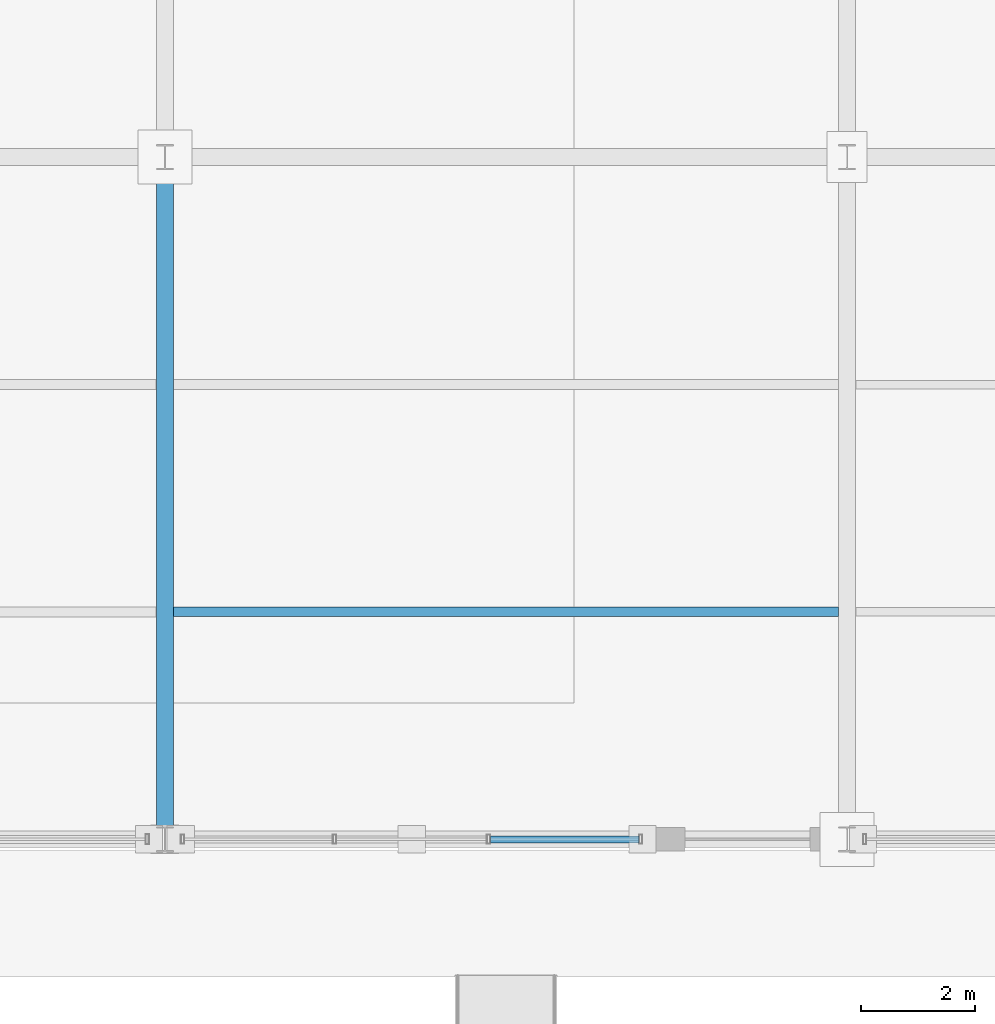
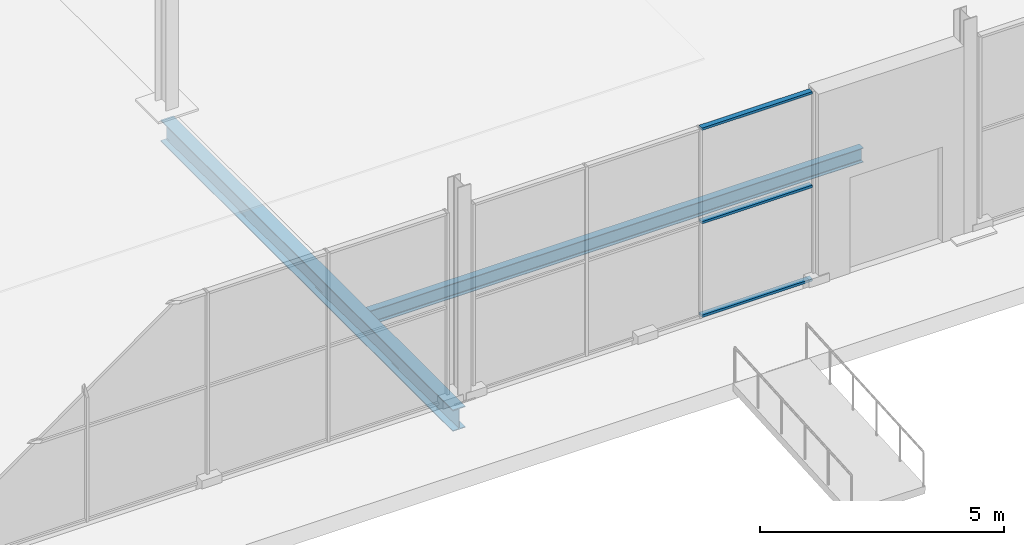
# One storey, part 70 of 196: 3 members, 2 beams, 1 element without a shape of its own.
"""IFC4 building model written with IfcOpenShell, lengths in metres."""

from ifc_helpers import new_model, si_unit, direction, frame, origin, origin_2d, place, context, subcontext, project, spatial, hollow_rectangle, i_section, extrude, material, material_profile, profile_set, type_object, element, aggregate, save


model = new_model("IFC4")

# Units and contexts
model_context = context("Model", 3, precision=1e-05, world=origin(), true_north=direction((0.0, 1.0)))
body_context = subcontext(model_context, "Body", "Model", "MODEL_VIEW")
ifc_project = project(units=[si_unit("LENGTHUNIT", "METRE"), si_unit("AREAUNIT", "SQUARE_METRE"), si_unit("VOLUMEUNIT", "CUBIC_METRE"), si_unit("PLANEANGLEUNIT", "RADIAN"), si_unit("MASSUNIT", "GRAM", prefix="KILO")], contexts=[model_context])

# Site, building, storey
site_placement = place(None, origin())
site = spatial("IfcSite", under=ifc_project, at=site_placement, CompositionType="ELEMENT")
building_placement = place(site_placement, origin())
building = spatial("IfcBuilding", under=site, at=building_placement, Name="Merenkruunu Market Hall", CompositionType="ELEMENT")
storey_placement = place(building_placement, origin())
storey = spatial("IfcBuildingStorey", under=building, at=storey_placement, Name="L00", CompositionType="ELEMENT", Elevation=0.0)

# Curtain wall, members
ifc_material_1 = material(Name="Powder-coated aluminium", Category="aluminium")
curtain_wall_type = type_object("IfcCurtainWallType", Name="Glazed Curtain Wall CW06", PredefinedType="USERDEFINED", material=ifc_material_1)
curtain_wall_placement = place(storey_placement, origin())
curtain_wall = element("IfcCurtainWall", 1, at=curtain_wall_placement, inside=storey, type_object=curtain_wall_type, Name="CW-L00-CWM01-190", ObjectType="GLAZED_FACADE", PredefinedType="USERDEFINED")
ifc_material_profile_1 = material_profile(ifc_material_1, hollow_rectangle(XDim=0.06005859375, YDim=0.125, WallThickness=0.00390625, at=origin_2d()), Name="ALU 60x125x4")
ifc_profile_set_1 = profile_set([ifc_material_profile_1], Name="Powder-coated aluminium")
member_type = type_object("IfcMemberType", Name="Curtain Wall Transom CWT01", PredefinedType="USERDEFINED", material=ifc_profile_set_1)
member_1_placement = place(storey_placement, frame((121.139892578125, 15.60009765625, 0.030029296875), z_axis=(-1.0, 0.0, 0.0), x_axis=(0.0, 0.0, 1.0)))
member_1 = element("IfcMember", 2, at=member_1_placement, type_object=member_type, Name="CW06 transom 1.1", ObjectType="TRANSOM", PredefinedType="USERDEFINED", context=body_context, shape_type="SweptSolid", body=[
    extrude(hollow_rectangle(XDim=0.06005859375, YDim=0.125, WallThickness=0.00390625, at=origin_2d()), origin(), (0.0, 0.0, 1.0), 2.616455078125),
])
member_2_placement = place(storey_placement, frame((121.139892578125, 15.60009765625, 2.375), z_axis=(-1.0, 0.0, 0.0), x_axis=(0.0, 0.0, 1.0)))
member_2 = element("IfcMember", 3, at=member_2_placement, type_object=member_type, Name="CW06 transom 1.2", ObjectType="TRANSOM", PredefinedType="USERDEFINED", context=body_context, shape_type="SweptSolid", body=[
    extrude(hollow_rectangle(XDim=0.06005859375, YDim=0.125, WallThickness=0.00390625, at=origin_2d()), origin(), (0.0, 0.0, 1.0), 2.616455078125),
])
member_3_placement = place(storey_placement, frame((121.139892578125, 15.60009765625, 4.719970703125), z_axis=(-1.0, 0.0, 0.0), x_axis=(0.0, 0.0, 1.0)))
member_3 = element("IfcMember", 4, at=member_3_placement, type_object=member_type, Name="CW06 transom 1.3", ObjectType="TRANSOM", PredefinedType="USERDEFINED", context=body_context, shape_type="SweptSolid", body=[
    extrude(hollow_rectangle(XDim=0.06005859375, YDim=0.125, WallThickness=0.00390625, at=origin_2d()), origin(), (0.0, 0.0, 1.0), 2.616455078125),
])
aggregate(curtain_wall, [member_1, member_2, member_3])

# Beams
ifc_material_2 = material(Name="Steel S355J2", Category="steel")
ifc_material_profile_2 = material_profile(ifc_material_2, i_section(OverallWidth=0.300048828125, OverallDepth=0.5400390625, WebThickness=0.012451171875, FlangeThickness=0.02392578125, FilletRadius=0.027099609375, at=origin_2d()), Name="HEA 550")
ifc_profile_set_2 = profile_set([ifc_material_profile_2], Name="Steel S355J2")
beam_type_1 = type_object("IfcBeamType", Name="Primary Floor Girder B06", PredefinedType="BEAM", material=ifc_profile_set_2)
beam_1_placement = place(storey_placement, frame((112.800048828125, 15.60009765625, -0.570068359375), z_axis=(0.0, 1.0, 0.0), x_axis=(-1.0, 0.0, 0.0)))
element("IfcBeam", 5, at=beam_1_placement, inside=storey, type_object=beam_type_1, Name="BM-L00-B06-0221", PredefinedType="BEAM", context=body_context, shape_type="SweptSolid", body=[
    extrude(i_section(OverallWidth=0.300048828125, OverallDepth=0.5400390625, WebThickness=0.012451171875, FlangeThickness=0.02392578125, FilletRadius=0.027099609375, at=origin_2d()), origin(), (0.0, 0.0, 1.0), 12.0),
])
ifc_material_profile_3 = material_profile(ifc_material_2, i_section(OverallWidth=0.169921875, OverallDepth=0.360107421875, WebThickness=0.008056640625, FlangeThickness=0.0126953125, FilletRadius=0.01806640625, at=origin_2d()), Name="IPE 360")
ifc_profile_set_3 = profile_set([ifc_material_profile_3], Name="Steel S355J2")
beam_type_2 = type_object("IfcBeamType", Name="Secondary Floor Joist J03", PredefinedType="JOIST", material=ifc_profile_set_3)
beam_2_placement = place(storey_placement, frame((112.952880859375, 19.60009765625, -0.47998046875), z_axis=(1.0, 0.0, 0.0), x_axis=(0.0, 1.0, 0.0)))
element("IfcBeam", 6, at=beam_2_placement, inside=storey, type_object=beam_type_2, Name="BM-L00-J03-0396", PredefinedType="JOIST", context=body_context, shape_type="SweptSolid", body=[
    extrude(i_section(OverallWidth=0.169921875, OverallDepth=0.360107421875, WebThickness=0.008056640625, FlangeThickness=0.0126953125, FilletRadius=0.01806640625, at=origin_2d()), origin(), (0.0, 0.0, 1.0), 11.694091796875),
])

save(model, "model.ifc")
